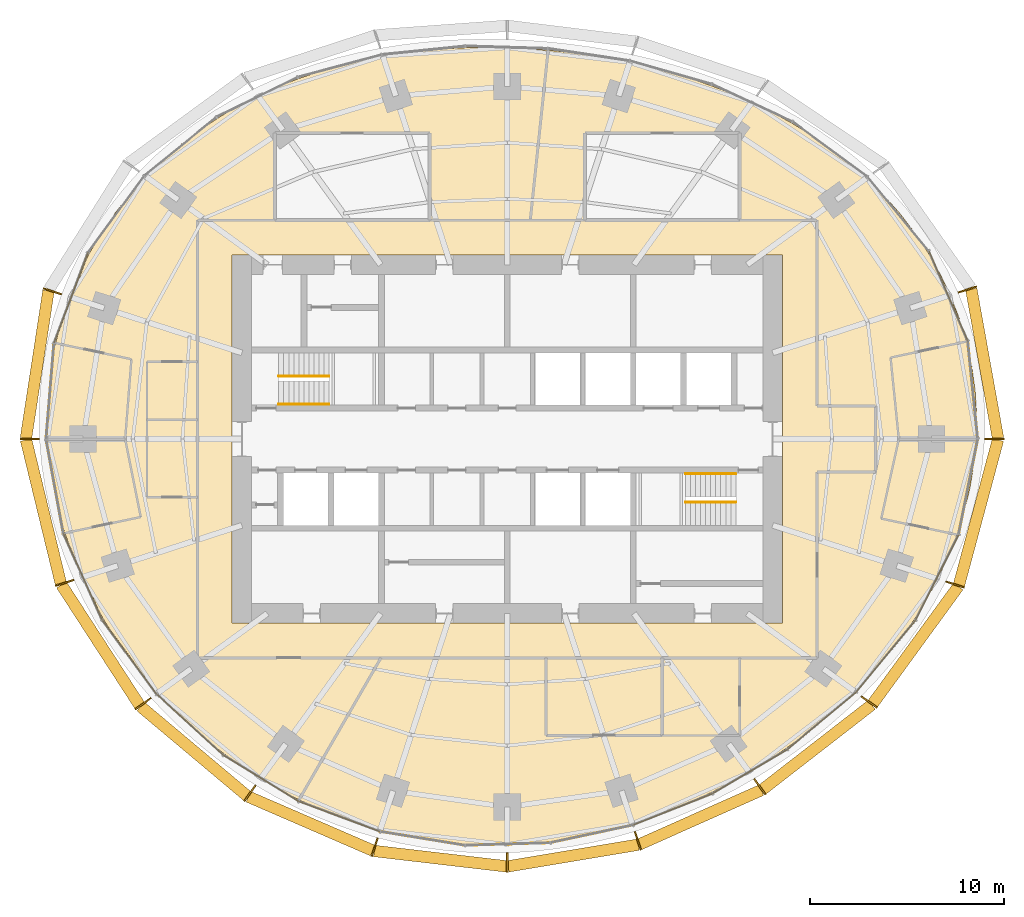
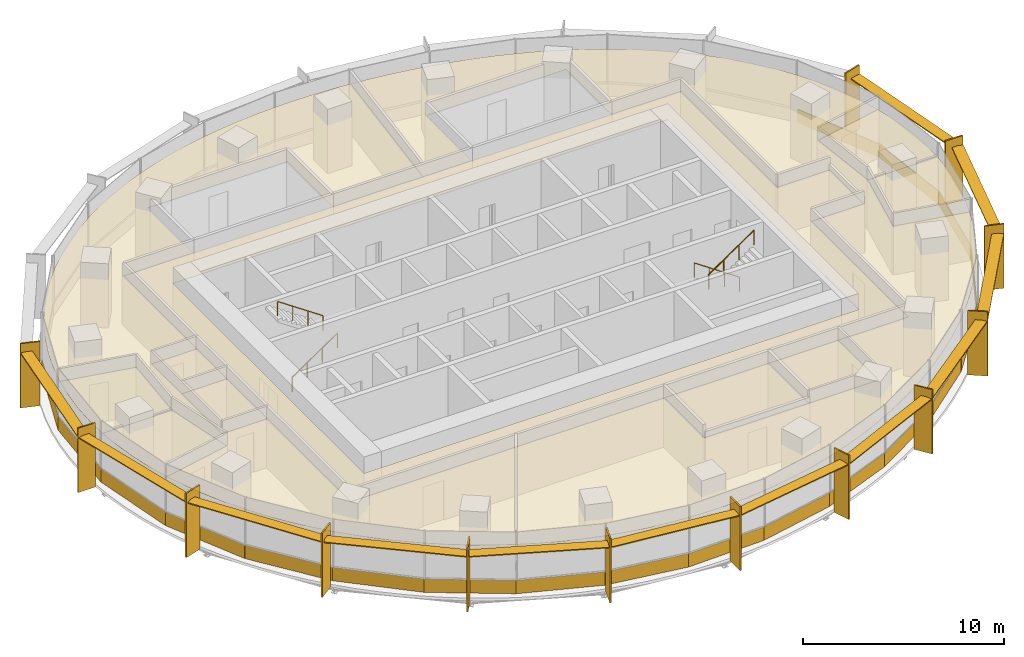
# One storey, part 13 of 14: 30 coverings, 25 shading devices, 4 railings.
"""IFC4 building model written with IfcOpenShell, lengths in metres."""

import ifcopenshell
import ifcopenshell.guid

model = None  # the IFC model being written
_history = None  # IfcOwnerHistory: only IFC2X3 demands one
_inside = {}  # id of a spatial element -> (the spatial element, [elements in it])
_under = {}  # id of a project, library or spatial element -> (it, [spatial elements below it])
_declared = {}  # id of a project -> (the project, [libraries it declares])
_typed = {}  # id of a type object -> (the type object, [elements of that type])
_made_of = {}  # id of a material, layer set ... -> (it, [elements and type objects made of it])


def new_model(schema):
    """Start an empty IFC model of exactly this schema.

    Asked for "IFC4X3", IfcOpenShell would pick the latest addendum, in which some entities
    have other attributes; the version numbers below select the first issue.
    IFC2X3 requires an IfcOwnerHistory on every rooted entity: one is made here for all.
    """
    global model, _history
    if schema == "IFC4X3":
        model = ifcopenshell.file(schema_version=(4, 3, 0, 0))
    else:
        model = ifcopenshell.file(schema=schema)
    _inside.clear()
    _under.clear()
    _declared.clear()
    _typed.clear()
    _made_of.clear()
    _history = None
    if model.schema == "IFC2X3":
        org = make("IfcOrganization", Name="unknown")
        user = make(
            "IfcPersonAndOrganization",
            ThePerson=make("IfcPerson", FamilyName="unknown"),
            TheOrganization=org,
        )
        app = make(
            "IfcApplication",
            ApplicationDeveloper=org,
            Version="unknown",
            ApplicationFullName="unknown",
            ApplicationIdentifier="unknown",
        )
        _history = make(
            "IfcOwnerHistory",
            OwningUser=user,
            OwningApplication=app,
            ChangeAction="ADDED",
            CreationDate=0,
        )
    return model


def make(cls, **values):
    """One entity of the class cls with the attributes given. An attribute that is None is left unset."""
    return model.create_entity(
        cls, **{name: value for name, value in values.items() if value is not None}
    )


def rooted(cls, **values):
    """An entity with a GlobalId (a new one), such as an element, a storey or a relation."""
    return make(cls, GlobalId=ifcopenshell.guid.new(), OwnerHistory=_history, **values)


def si_unit(unit_type, name, prefix=None):
    """IfcSIUnit, for example si_unit("LENGTHUNIT", "METRE", prefix="MILLI")."""
    return make("IfcSIUnit", UnitType=unit_type, Prefix=prefix, Name=name)


def assignment(units):
    """IfcUnitAssignment: the units of a project."""
    return None if units is None else make("IfcUnitAssignment", Units=units)


def point(xyz):
    """IfcCartesianPoint."""
    return None if xyz is None else make("IfcCartesianPoint", Coordinates=xyz)


def direction(xyz):
    """IfcDirection."""
    return None if xyz is None else make("IfcDirection", DirectionRatios=xyz)


def frame(location, z_axis=None, x_axis=None):
    """IfcAxis2Placement3D, a coordinate frame: its origin and axes. An axis left out is left unset."""
    return make(
        "IfcAxis2Placement3D",
        Location=point(location),
        Axis=direction(z_axis),
        RefDirection=direction(x_axis),
    )


def frame_2d(location, x_axis=None):
    """IfcAxis2Placement2D, a coordinate frame in the plane: its origin and x axis."""
    return make(
        "IfcAxis2Placement2D", Location=point(location), RefDirection=direction(x_axis)
    )


def origin():
    """The frame at (0, 0, 0) with its axes left unset."""
    return frame((0.0, 0.0, 0.0))


def origin_2d():
    """The frame at (0, 0) in the plane with its x axis left unset."""
    return frame_2d((0.0, 0.0))


def place(relative_to, where):
    """IfcLocalPlacement: puts the frame where relative to a parent placement (None: the world)."""
    return make(
        "IfcLocalPlacement", PlacementRelTo=relative_to, RelativePlacement=where
    )


def context(
    kind, dimensions, precision=None, world=None, true_north=None, identifier=None
):
    """IfcGeometricRepresentationContext, for example the 3D "Model" context."""
    return make(
        "IfcGeometricRepresentationContext",
        ContextIdentifier=identifier,
        ContextType=kind,
        CoordinateSpaceDimension=dimensions,
        Precision=precision,
        WorldCoordinateSystem=world,
        TrueNorth=true_north,
    )


def subcontext(parent, identifier, kind, view, scale=None):
    """IfcGeometricRepresentationSubContext, for example "Body" below "Model"."""
    return make(
        "IfcGeometricRepresentationSubContext",
        ContextIdentifier=identifier,
        ContextType=kind,
        ParentContext=parent,
        TargetScale=scale,
        TargetView=view,
    )


def project(units=None, contexts=None):
    """IfcProject with its units and contexts."""
    return rooted(
        "IfcProject",
        Name="project",
        RepresentationContexts=contexts,
        UnitsInContext=assignment(units),
    )


def spatial(cls, under=None, at=None, **own):
    """A site, building, storey or space (cls), placed at a placement, below another one or the project."""
    s = rooted(cls, ObjectPlacement=at, **own)
    if under is not None:
        _under.setdefault(under.id(), (under, []))[1].append(s)
    return s


def polyline(points):
    """IfcPolyline through the points."""
    return make("IfcPolyline", Points=[point(p) for p in points])


def profile(cls, at=None, kind="AREA", **sizes):
    """A parametric profile (cls). Its sizes go by their IFC names, for example OverallWidth=200.0."""
    return make(cls, ProfileType=kind, Position=at, **sizes)


def rectangle(**sizes):
    """IfcRectangleProfileDef."""
    return profile("IfcRectangleProfileDef", **sizes)


def circle(**sizes):
    """IfcCircleProfileDef."""
    return profile("IfcCircleProfileDef", **sizes)


def outline(outer, holes=None, kind="AREA"):
    """IfcArbitraryClosedProfileDef: a profile drawn as a closed curve; with holes, ...WithVoids."""
    if holes is None:
        return make("IfcArbitraryClosedProfileDef", ProfileType=kind, OuterCurve=outer)
    return make(
        "IfcArbitraryProfileDefWithVoids",
        ProfileType=kind,
        OuterCurve=outer,
        InnerCurves=holes,
    )


def extrude(swept, where, along, depth):
    """IfcExtrudedAreaSolid: the profile swept, set in the frame where, extruded along a direction by depth."""
    return make(
        "IfcExtrudedAreaSolid",
        SweptArea=swept,
        Position=where,
        ExtrudedDirection=direction(along),
        Depth=depth,
    )


def shape(context_of_items, identifier, shape_type, items):
    """IfcShapeRepresentation: the items that make up one representation, for example the "Body"."""
    return make(
        "IfcShapeRepresentation",
        ContextOfItems=context_of_items,
        RepresentationIdentifier=identifier,
        RepresentationType=shape_type,
        Items=items,
    )


def material(Name=None, Category=None):
    """IfcMaterial."""
    return make("IfcMaterial", Name=Name, Category=Category)


def layer(
    of_material, thickness, ventilated=None, Name=None, Category=None, Priority=None
):
    """IfcMaterialLayer: one layer of a wall or slab, of a material (None: an air gap)."""
    return make(
        "IfcMaterialLayer",
        Material=of_material,
        LayerThickness=thickness,
        IsVentilated=ventilated,
        Name=Name,
        Category=Category,
        Priority=Priority,
    )


def layer_set(layers, Name=None):
    """IfcMaterialLayerSet."""
    return make("IfcMaterialLayerSet", MaterialLayers=layers, LayerSetName=Name)


def made_of(thing, what):
    """Note that an element or type object is made of a material, layer set ...; save() writes the relation."""
    if what is not None:
        _made_of.setdefault(what.id(), (what, []))[1].append(thing)
    return thing


def type_object(cls, material=None, **own):
    """A type object (cls), such as IfcWallType, which elements share."""
    return made_of(rooted(cls, **own), material)


def element(
    cls,
    number,
    at=None,
    inside=None,
    cuts=None,
    type_object=None,
    material=None,
    context=None,
    identifier="Body",
    shape_type=None,
    held_by="IfcProductDefinitionShape",
    body=None,
    shapes=None,
    **own,
):
    """One element of the class cls, such as IfcWall. Its Tag is "e" and its number.

    at: its placement. inside: the storey or other place that contains it. cuts: it is an
    opening in that element (IfcRelVoidsElement). A single representation is given by context,
    identifier, shape_type and body (its items); several are given by shapes. held_by: the class
    of the entity that holds the representations. save() writes the other relations.
    """
    e = rooted(cls, Tag="e%d" % number, ObjectPlacement=at, **own)
    if body is not None:
        shapes = [shape(context, identifier, shape_type, body)]
    if shapes is not None:
        e.Representation = make(held_by, Representations=shapes)
    if inside is not None:
        _inside.setdefault(inside.id(), (inside, []))[1].append(e)
    if cuts is not None:
        rooted(
            "IfcRelVoidsElement", RelatingBuildingElement=cuts, RelatedOpeningElement=e
        )
    if type_object is not None:
        _typed.setdefault(type_object.id(), (type_object, []))[1].append(e)
    return made_of(e, material)


def aggregate(whole, parts):
    """IfcRelAggregates: a whole, such as a stair, and the parts it consists of."""
    return rooted("IfcRelAggregates", RelatingObject=whole, RelatedObjects=parts)


def save(model, path):
    """Write the relations noted so far, then the file.

    IfcRelAggregates (storeys below a building ...), IfcRelContainedInSpatialStructure (elements
    in a storey), IfcRelDefinesByType, IfcRelAssociatesMaterial and IfcRelDeclares: one each for
    every whole, place, type object, material and project.
    """
    for whole, parts in _under.values():
        aggregate(whole, parts)
    for where, things in _inside.values():
        rooted(
            "IfcRelContainedInSpatialStructure",
            RelatedElements=things,
            RelatingStructure=where,
        )
    for kind, things in _typed.values():
        rooted("IfcRelDefinesByType", RelatedObjects=things, RelatingType=kind)
    for what, things in _made_of.values():
        rooted("IfcRelAssociatesMaterial", RelatedObjects=things, RelatingMaterial=what)
    for by, libraries in _declared.values():
        rooted("IfcRelDeclares", RelatingContext=by, RelatedDefinitions=libraries)
    model.write(path)


model = new_model("IFC4")

# Units and contexts
model_context = context("Model", 3, precision=1e-05, world=origin(), true_north=direction((0.0, 1.0)))
body_context = subcontext(model_context, "Body", "Model", "MODEL_VIEW")
ifc_project = project(units=[si_unit("LENGTHUNIT", "METRE"), si_unit("AREAUNIT", "SQUARE_METRE"), si_unit("VOLUMEUNIT", "CUBIC_METRE"), si_unit("PLANEANGLEUNIT", "RADIAN"), si_unit("MASSUNIT", "GRAM", prefix="KILO")], contexts=[model_context])

# Site, building, storey
site_placement = place(None, origin())
site = spatial("IfcSite", under=ifc_project, at=site_placement, CompositionType="ELEMENT")
building_placement = place(site_placement, origin())
building = spatial("IfcBuilding", under=site, at=building_placement, Name="Marramba Exchange Tower", CompositionType="ELEMENT")
storey_placement = place(building_placement, frame((0.0, 0.0, 179.89990234375)))
storey = spatial("IfcBuildingStorey", under=building, at=storey_placement, Name="L43", CompositionType="ELEMENT", Elevation=179.89990234375)

# Shading devices
ifc_material_1 = material(Name="Aluminium blade, timber-look bronze finish", Category="wood")
ifc_layer_1 = layer(ifc_material_1, 0.080078125)
ifc_layer_set_1 = layer_set([ifc_layer_1], Name="Floor-edge blade 1000x80")
shading_device_type_1 = type_object("IfcShadingDeviceType", Name="Floor-edge blade 1000x80", PredefinedType="USERDEFINED", material=ifc_layer_set_1)
for number, where, z_axis, x_axis, name in (
    (1, (25.14404296875, 0.0, -0.159912109375), (0.0, 0.0, 1.0), (1.0, 0.0, 0.0), "Floor-edge blade FB1 L43 TC01"),
    (2, (23.757080078125, 7.718994140625, -0.159912109375), (0.0, 0.0, 1.0), (0.951056516295, 0.309016994375, 0.0), "Floor-edge blade FB1 L43 TC02"),
    (3, (-23.488525390625, 7.6318359375, -0.159912109375), (0.0, 0.0, 1.0), (-0.951056516295, 0.309016994375, 0.0), "Floor-edge blade FB1 L43 TC10"),
    (4, (-24.656005859375, 0.0, -0.159912109375), (0.0, 0.0, 1.0), (-1.0, 0.0, 0.0), "Floor-edge blade FB1 L43 TC11"),
    (5, (-22.848876953125, -7.424072265625, -0.159912109375), (0.0, 0.0, 1.0), (-0.951056516295, -0.309016994375, 0.0), "Floor-edge blade FB1 L43 TC12"),
    (6, (-18.7998046875, -13.658935546875, -0.159912109375), (0.0, 0.0, 1.0), (-0.809016994375, -0.587785252292, 0.0), "Floor-edge blade FB1 L43 TC13"),
    (7, (-13.2841796875, -18.2841796875, -0.159912109375), (0.0, 0.0, 1.0), (-0.587785252292, -0.809016994375, 0.0), "Floor-edge blade FB1 L43 TC14"),
    (8, (-6.845703125, -21.069091796875, -0.159912109375), (0.0, 0.0, 1.0), (-0.309016994375, -0.951056516295, 0.0), "Floor-edge blade FB1 L43 TC15"),
    (9, (0.0, -21.86376953125, -0.159912109375), (0.0, 0.0, 1.0), (0.0, -1.0, 0.0), "Floor-edge blade FB1 L43 TC16"),
    (10, (6.739501953125, -20.741943359375, -0.159912109375), (0.0, 0.0, 1.0), (0.309016994375, -0.951056516295, 0.0), "Floor-edge blade FB1 L43 TC17"),
    (11, (13.0380859375, -17.9453125, -0.159912109375), (0.0, 0.0, 1.0), (0.587785252292, -0.809016994375, 0.0), "Floor-edge blade FB1 L43 TC18"),
    (12, (18.6845703125, -13.5751953125, -0.159912109375), (0.0, 0.0, 1.0), (0.809016994375, -0.587785252292, 0.0), "Floor-edge blade FB1 L43 TC19"),
    (13, (23.1171875, -7.51123046875, -0.159912109375), (0.0, 0.0, 1.0), (0.951056516295, -0.309016994375, 0.0), "Floor-edge blade FB1 L43 TC20"),
):
    element("IfcShadingDevice", number, at=place(storey_placement, frame(where, z_axis=z_axis, x_axis=x_axis)), inside=storey, type_object=shading_device_type_1, Name=name, ObjectType="FIN", PredefinedType="USERDEFINED", context=body_context, shape_type="SweptSolid", body=[
        extrude(rectangle(XDim=1.0, YDim=0.080078125, at=origin_2d()), origin(), (0.0, 0.0, 1.0), 3.89990234375),
    ])
ifc_material_2 = material(Name="Aluminium sunshade, bronze anodised", Category="aluminium")
ifc_layer_2 = layer(ifc_material_2, 0.06005859375)
ifc_layer_set_2 = layer_set([ifc_layer_2], Name="SUNSHADE blade 600x60")
shading_device_type_2 = type_object("IfcShadingDeviceType", Name="SUNSHADE blade 600x60", PredefinedType="USERDEFINED", material=ifc_layer_set_2)
shading_device_1_placement = place(storey_placement, frame((24.6455078125, 3.890380859375, 3.16015625), z_axis=(0.0, 0.0, 1.0), x_axis=(-0.176690623809, 0.984266439262, 0.0)))
element("IfcShadingDevice", 14, at=shading_device_1_placement, inside=storey, type_object=shading_device_type_2, Name="Sunshade SS1 L43 bay 01", ObjectType="SUNSHADE", PredefinedType="USERDEFINED", context=body_context, shape_type="SweptSolid", body=[
    extrude(rectangle(XDim=7.8251953125, YDim=0.60009765625, at=origin_2d()), origin(), (0.0, 0.0, 1.0), 0.06005859375),
])
shading_device_2_placement = place(storey_placement, frame((-24.267333984375, 3.846923828125, 3.16015625), z_axis=(0.0, 0.0, 1.0), x_axis=(-0.151240669327, -0.988496970123, 0.0)))
element("IfcShadingDevice", 15, at=shading_device_2_placement, inside=storey, type_object=shading_device_type_2, Name="Sunshade SS1 L43 bay 10", ObjectType="SUNSHADE", PredefinedType="USERDEFINED", context=body_context, shape_type="SweptSolid", body=[
    extrude(rectangle(XDim=7.703369140625, YDim=0.60009765625, at=origin_2d()), origin(), (0.0, 0.0, 1.0), 0.06005859375),
])
shading_device_3_placement = place(storey_placement, frame((-23.947509765625, -3.742919921875, 3.16015625), z_axis=(0.0, 0.0, 1.0), x_axis=(0.235861488454, -0.971786683519, 0.0)))
element("IfcShadingDevice", 16, at=shading_device_3_placement, inside=storey, type_object=shading_device_type_2, Name="Sunshade SS1 L43 bay 11", ObjectType="SUNSHADE", PredefinedType="USERDEFINED", context=body_context, shape_type="SweptSolid", body=[
    extrude(rectangle(XDim=7.623291015625, YDim=0.60009765625, at=origin_2d()), origin(), (0.0, 0.0, 1.0), 0.06005859375),
])
shading_device_4_placement = place(storey_placement, frame((-21.000244140625, -10.631103515625, 3.16015625), z_axis=(0.0, 0.0, 1.0), x_axis=(0.543921771105, -0.839135928749, 0.0)))
element("IfcShadingDevice", 17, at=shading_device_4_placement, inside=storey, type_object=shading_device_type_2, Name="Sunshade SS1 L43 bay 12", ObjectType="SUNSHADE", PredefinedType="USERDEFINED", context=body_context, shape_type="SweptSolid", body=[
    extrude(rectangle(XDim=7.41650390625, YDim=0.60009765625, at=origin_2d()), origin(), (0.0, 0.0, 1.0), 0.06005859375),
])
shading_device_5_placement = place(storey_placement, frame((-16.181640625, -16.111083984375, 3.16015625), z_axis=(0.0, 0.0, 1.0), x_axis=(0.765761970568, -0.643124097225, 0.0)))
element("IfcShadingDevice", 18, at=shading_device_5_placement, inside=storey, type_object=shading_device_type_2, Name="Sunshade SS1 L43 bay 13", ObjectType="SUNSHADE", PredefinedType="USERDEFINED", context=body_context, shape_type="SweptSolid", body=[
    extrude(rectangle(XDim=7.1806640625, YDim=0.60009765625, at=origin_2d()), origin(), (0.0, 0.0, 1.0), 0.06005859375),
])
shading_device_6_placement = place(storey_placement, frame((-10.154541015625, -19.8525390625, 3.16015625), z_axis=(0.0, 0.0, 1.0), x_axis=(0.917589256742, -0.397529817639, 0.0)))
element("IfcShadingDevice", 19, at=shading_device_6_placement, inside=storey, type_object=shading_device_type_2, Name="Sunshade SS1 L43 bay 14", ObjectType="SUNSHADE", PredefinedType="USERDEFINED", context=body_context, shape_type="SweptSolid", body=[
    extrude(rectangle(XDim=6.997314453125, YDim=0.60009765625, at=origin_2d()), origin(), (0.0, 0.0, 1.0), 0.06005859375),
])
shading_device_7_placement = place(storey_placement, frame((-3.453857421875, -21.66162109375, 3.16015625), z_axis=(0.0, 0.0, 1.0), x_axis=(0.993288257497, -0.1156651958, 0.0)))
element("IfcShadingDevice", 20, at=shading_device_7_placement, inside=storey, type_object=shading_device_type_2, Name="Sunshade SS1 L43 bay 15", ObjectType="SUNSHADE", PredefinedType="USERDEFINED", context=body_context, shape_type="SweptSolid", body=[
    extrude(rectangle(XDim=6.874267578125, YDim=0.60009765625, at=origin_2d()), origin(), (0.0, 0.0, 1.0), 0.06005859375),
])
shading_device_8_placement = place(storey_placement, frame((3.400634765625, -21.498046875, 3.16015625), z_axis=(0.0, 0.0, 1.0), x_axis=(0.986439622954, 0.164124557168, 0.0)))
element("IfcShadingDevice", 21, at=shading_device_8_placement, inside=storey, type_object=shading_device_type_2, Name="Sunshade SS1 L43 bay 16", ObjectType="SUNSHADE", PredefinedType="USERDEFINED", context=body_context, shape_type="SweptSolid", body=[
    extrude(rectangle(XDim=6.814697265625, YDim=0.60009765625, at=origin_2d()), origin(), (0.0, 0.0, 1.0), 0.06005859375),
])
shading_device_9_placement = place(storey_placement, frame((9.978515625, -19.519775390625, 3.16015625), z_axis=(0.0, 0.0, 1.0), x_axis=(0.913771678576, 0.406228161792, 0.0)))
element("IfcShadingDevice", 22, at=shading_device_9_placement, inside=storey, type_object=shading_device_type_2, Name="Sunshade SS1 L43 bay 17", ObjectType="SUNSHADE", PredefinedType="USERDEFINED", context=body_context, shape_type="SweptSolid", body=[
    extrude(rectangle(XDim=6.8740234375, YDim=0.60009765625, at=origin_2d()), origin(), (0.0, 0.0, 1.0), 0.06005859375),
])
shading_device_10_placement = place(storey_placement, frame((16.0009765625, -15.89990234375, 3.16015625), z_axis=(0.0, 0.0, 1.0), x_axis=(0.790133082515, 0.612935324414, 0.0)))
element("IfcShadingDevice", 23, at=shading_device_10_placement, inside=storey, type_object=shading_device_type_2, Name="Sunshade SS1 L43 bay 18", ObjectType="SUNSHADE", PredefinedType="USERDEFINED", context=body_context, shape_type="SweptSolid", body=[
    extrude(rectangle(XDim=7.122314453125, YDim=0.60009765625, at=origin_2d()), origin(), (0.0, 0.0, 1.0), 0.06005859375),
])
shading_device_11_placement = place(storey_placement, frame((21.076904296875, -10.6328125, 3.16015625), z_axis=(0.0, 0.0, 1.0), x_axis=(0.589071758439, 0.808080728275, 0.0)))
element("IfcShadingDevice", 24, at=shading_device_11_placement, inside=storey, type_object=shading_device_type_2, Name="Sunshade SS1 L43 bay 19", ObjectType="SUNSHADE", PredefinedType="USERDEFINED", context=body_context, shape_type="SweptSolid", body=[
    extrude(rectangle(XDim=7.4931640625, YDim=0.60009765625, at=origin_2d()), origin(), (0.0, 0.0, 1.0), 0.06005859375),
])
shading_device_12_placement = place(storey_placement, frame((24.32568359375, -3.78662109375, 3.16015625), z_axis=(0.0, 0.0, 1.0), x_axis=(0.259692365654, 0.965691397508, 0.0)))
element("IfcShadingDevice", 25, at=shading_device_12_placement, inside=storey, type_object=shading_device_type_2, Name="Sunshade SS1 L43 bay 20", ObjectType="SUNSHADE", PredefinedType="USERDEFINED", context=body_context, shape_type="SweptSolid", body=[
    extrude(rectangle(XDim=7.76220703125, YDim=0.60009765625, at=origin_2d()), origin(), (0.0, 0.0, 1.0), 0.06005859375),
])

# Coverings
ifc_material_3 = material(Name="Aluminium spandrel panel, bronze anodised, insulated", Category="aluminium")
ifc_layer_3 = layer(ifc_material_3, 0.050048828125)
ifc_layer_set_3 = layer_set([ifc_layer_3], Name="Spandrel panel 800")
covering_type_1 = type_object("IfcCoveringType", Name="Spandrel panel 800", PredefinedType="CLADDING", material=ifc_layer_set_3)
covering_1_placement = place(storey_placement, frame((24.036376953125, 2.527099609375, 0.0), z_axis=(0.0, 0.0, 1.0), x_axis=(-0.101422478545, 0.994843445395, 0.0)))
element("IfcCovering", 26, at=covering_1_placement, inside=storey, type_object=covering_type_1, Name="Spandrel panel SP1 L43 F01", PredefinedType="CLADDING", context=body_context, shape_type="SweptSolid", body=[
    extrude(rectangle(XDim=5.08056640625, YDim=0.050048828125, at=origin_2d()), origin(), (0.0, 0.0, 1.0), 0.800048828125),
])
covering_2_placement = place(storey_placement, frame((22.77734375, 7.374755859375, 0.0), z_axis=(0.0, 0.0, 1.0), x_axis=(-0.396193349205, 0.918167103552, 0.0)))
element("IfcCovering", 27, at=covering_2_placement, inside=storey, type_object=covering_type_1, Name="Spandrel panel SP1 L43 F02", PredefinedType="CLADDING", context=body_context, shape_type="SweptSolid", body=[
    extrude(rectangle(XDim=5.0546875, YDim=0.050048828125, at=origin_2d()), origin(), (0.0, 0.0, 1.0), 0.800048828125),
])
covering_3_placement = place(storey_placement, frame((-22.518798828125, 7.30419921875, 0.0), z_axis=(0.0, 0.0, 1.0), x_axis=(-0.351951514464, -0.936018232443, 0.0)))
element("IfcCovering", 28, at=covering_3_placement, inside=storey, type_object=covering_type_1, Name="Spandrel panel SP1 L43 F14", PredefinedType="CLADDING", context=body_context, shape_type="SweptSolid", body=[
    extrude(rectangle(XDim=4.981689453125, YDim=0.050048828125, at=origin_2d()), origin(), (0.0, 0.0, 1.0), 0.800048828125),
])
covering_4_placement = place(storey_placement, frame((-23.600830078125, 2.486328125, 0.0), z_axis=(0.0, 0.0, 1.0), x_axis=(-0.082280881776, -0.996609179415, 0.0)))
element("IfcCovering", 29, at=covering_4_placement, inside=storey, type_object=covering_type_1, Name="Spandrel panel SP1 L43 F15", PredefinedType="CLADDING", context=body_context, shape_type="SweptSolid", body=[
    extrude(rectangle(XDim=4.98974609375, YDim=0.050048828125, at=origin_2d()), origin(), (0.0, 0.0, 1.0), 0.800048828125),
])
covering_5_placement = place(storey_placement, frame((-23.359619140625, -2.43505859375, 0.0), z_axis=(0.0, 0.0, 1.0), x_axis=(0.180327442841, -0.983606635479, 0.0)))
element("IfcCovering", 30, at=covering_5_placement, inside=storey, type_object=covering_type_1, Name="Spandrel panel SP1 L43 F16", PredefinedType="CLADDING", context=body_context, shape_type="SweptSolid", body=[
    extrude(rectangle(XDim=4.951416015625, YDim=0.050048828125, at=origin_2d()), origin(), (0.0, 0.0, 1.0), 0.800048828125),
])
covering_6_placement = place(storey_placement, frame((-21.920654296875, -7.093994140625, 0.0), z_axis=(0.0, 0.0, 1.0), x_axis=(0.407557582153, -0.913179509861, 0.0)))
element("IfcCovering", 31, at=covering_6_placement, inside=storey, type_object=covering_type_1, Name="Spandrel panel SP1 L43 F17", PredefinedType="CLADDING", context=body_context, shape_type="SweptSolid", body=[
    extrude(rectangle(XDim=4.870361328125, YDim=0.050048828125, at=origin_2d()), origin(), (0.0, 0.0, 1.0), 0.800048828125),
])
covering_7_placement = place(storey_placement, frame((-19.520263671875, -11.238525390625, 0.0), z_axis=(0.0, 0.0, 1.0), x_axis=(0.591223097085, -0.80650805915, 0.0)))
element("IfcCovering", 32, at=covering_7_placement, inside=storey, type_object=covering_type_1, Name="Spandrel panel SP1 L43 F18", PredefinedType="CLADDING", context=body_context, shape_type="SweptSolid", body=[
    extrude(rectangle(XDim=4.762939453125, YDim=0.050048828125, at=origin_2d()), origin(), (0.0, 0.0, 1.0), 0.800048828125),
])
covering_8_placement = place(storey_placement, frame((-16.396240234375, -14.73193359375, 0.0), z_axis=(0.0, 0.0, 1.0), x_axis=(0.737203259599, -0.67567103981, 0.0)))
element("IfcCovering", 33, at=covering_8_placement, inside=storey, type_object=covering_type_1, Name="Spandrel panel SP1 L43 F19", PredefinedType="CLADDING", context=body_context, shape_type="SweptSolid", body=[
    extrude(rectangle(XDim=4.65478515625, YDim=0.050048828125, at=origin_2d()), origin(), (0.0, 0.0, 1.0), 0.800048828125),
])
covering_9_placement = place(storey_placement, frame((-12.73583984375, -17.497802734375, 0.0), z_axis=(0.0, 0.0, 1.0), x_axis=(0.852301010692, -0.52305161043, 0.0)))
element("IfcCovering", 34, at=covering_9_placement, inside=storey, type_object=covering_type_1, Name="Spandrel panel SP1 L43 F20", PredefinedType="CLADDING", context=body_context, shape_type="SweptSolid", body=[
    extrude(rectangle(XDim=4.563232421875, YDim=0.050048828125, at=origin_2d()), origin(), (0.0, 0.0, 1.0), 0.800048828125),
])
covering_10_placement = place(storey_placement, frame((-8.687255859375, -19.47607421875, 0.0), z_axis=(0.0, 0.0, 1.0), x_axis=(0.936951581946, -0.349459200892, 0.0)))
element("IfcCovering", 35, at=covering_10_placement, inside=storey, type_object=covering_type_1, Name="Spandrel panel SP1 L43 F21", PredefinedType="CLADDING", context=body_context, shape_type="SweptSolid", body=[
    extrude(rectangle(XDim=4.491455078125, YDim=0.050048828125, at=origin_2d()), origin(), (0.0, 0.0, 1.0), 0.800048828125),
])
covering_11_placement = place(storey_placement, frame((-4.393798828125, -20.6181640625, 0.0), z_axis=(0.0, 0.0, 1.0), x_axis=(0.98693062179, -0.161145734582, 0.0)))
element("IfcCovering", 36, at=covering_11_placement, inside=storey, type_object=covering_type_1, Name="Spandrel panel SP1 L43 F22", PredefinedType="CLADDING", context=body_context, shape_type="SweptSolid", body=[
    extrude(rectangle(XDim=4.4365234375, YDim=0.050048828125, at=origin_2d()), origin(), (0.0, 0.0, 1.0), 0.800048828125),
])
covering_12_placement = place(storey_placement, frame((-0.0068359375, -20.9111328125, 0.0), z_axis=(0.0, 0.0, 1.0), x_axis=(0.99956791932, 0.02939344597, 0.0)))
element("IfcCovering", 37, at=covering_12_placement, inside=storey, type_object=covering_type_1, Name="Spandrel panel SP1 L43 F23", PredefinedType="CLADDING", context=body_context, shape_type="SweptSolid", body=[
    extrude(rectangle(XDim=4.3974609375, YDim=0.050048828125, at=origin_2d()), origin(), (0.0, 0.0, 1.0), 0.800048828125),
])
covering_13_placement = place(storey_placement, frame((4.333984375, -20.389892578125, 0.0), z_axis=(0.0, 0.0, 1.0), x_axis=(0.978058068956, 0.208332459664, 0.0)))
element("IfcCovering", 38, at=covering_13_placement, inside=storey, type_object=covering_type_1, Name="Spandrel panel SP1 L43 F24", PredefinedType="CLADDING", context=body_context, shape_type="SweptSolid", body=[
    extrude(rectangle(XDim=4.3818359375, YDim=0.050048828125, at=origin_2d()), origin(), (0.0, 0.0, 1.0), 0.800048828125),
])
covering_14_placement = place(storey_placement, frame((8.525390625, -19.124267578125, 0.0), z_axis=(0.0, 0.0, 1.0), x_axis=(0.93007301151, 0.367374731386, 0.0)))
element("IfcCovering", 39, at=covering_14_placement, inside=storey, type_object=covering_type_1, Name="Spandrel panel SP1 L43 F25", PredefinedType="CLADDING", context=body_context, shape_type="SweptSolid", body=[
    extrude(rectangle(XDim=4.405517578125, YDim=0.050048828125, at=origin_2d()), origin(), (0.0, 0.0, 1.0), 0.800048828125),
])
covering_15_placement = place(storey_placement, frame((12.50634765625, -17.175537109375, 0.0), z_axis=(0.0, 0.0, 1.0), x_axis=(0.861350829898, 0.508010578466, 0.0)))
element("IfcCovering", 40, at=covering_15_placement, inside=storey, type_object=covering_type_1, Name="Spandrel panel SP1 L43 F26", PredefinedType="CLADDING", context=body_context, shape_type="SweptSolid", body=[
    extrude(rectangle(XDim=4.486572265625, YDim=0.050048828125, at=origin_2d()), origin(), (0.0, 0.0, 1.0), 0.800048828125),
])
covering_16_placement = place(storey_placement, frame((16.2177734375, -14.5556640625, 0.0), z_axis=(0.0, 0.0, 1.0), x_axis=(0.768736803132, 0.639565264465, 0.0)))
element("IfcCovering", 41, at=covering_16_placement, inside=storey, type_object=covering_type_1, Name="Spandrel panel SP1 L43 F27", PredefinedType="CLADDING", context=body_context, shape_type="SweptSolid", body=[
    extrude(rectangle(XDim=4.628662109375, YDim=0.050048828125, at=origin_2d()), origin(), (0.0, 0.0, 1.0), 0.800048828125),
])
covering_17_placement = place(storey_placement, frame((19.529541015625, -11.2265625, 0.0), z_axis=(0.0, 0.0, 1.0), x_axis=(0.638149992226, 0.769912064733, 0.0)))
element("IfcCovering", 42, at=covering_17_placement, inside=storey, type_object=covering_type_1, Name="Spandrel panel SP1 L43 F28", PredefinedType="CLADDING", context=body_context, shape_type="SweptSolid", body=[
    extrude(rectangle(XDim=4.80322265625, YDim=0.050048828125, at=origin_2d()), origin(), (0.0, 0.0, 1.0), 0.800048828125),
])
covering_18_placement = place(storey_placement, frame((22.17919921875, -7.16455078125, 0.0), z_axis=(0.0, 0.0, 1.0), x_axis=(0.450673091404, 0.892689063832, 0.0)))
element("IfcCovering", 43, at=covering_18_placement, inside=storey, type_object=covering_type_1, Name="Spandrel panel SP1 L43 F29", PredefinedType="CLADDING", context=body_context, shape_type="SweptSolid", body=[
    extrude(rectangle(XDim=4.957763671875, YDim=0.050048828125, at=origin_2d()), origin(), (0.0, 0.0, 1.0), 0.800048828125),
])
covering_19_placement = place(storey_placement, frame((23.795166015625, -2.475830078125, 0.0), z_axis=(0.0, 0.0, 1.0), x_axis=(0.197495401381, 0.980303813332, 0.0)))
element("IfcCovering", 44, at=covering_19_placement, inside=storey, type_object=covering_type_1, Name="Spandrel panel SP1 L43 F30", PredefinedType="CLADDING", context=body_context, shape_type="SweptSolid", body=[
    extrude(rectangle(XDim=5.05126953125, YDim=0.050048828125, at=origin_2d()), origin(), (0.0, 0.0, 1.0), 0.800048828125),
])

# Railings
ifc_material_4 = material(Name="Stainless steel handrail", Category="steel")
railing_type = type_object("IfcRailingType", Name="Stair handrail 900", PredefinedType="HANDRAIL", material=ifc_material_4)
railing_1_placement = place(storey_placement, frame((-11.800048828125, 1.800048828125, 0.177490234375)))
element("IfcRailing", 45, at=railing_1_placement, inside=storey, type_object=railing_type, Name="Handrail HR1 ST1 L43 flight 1", PredefinedType="HANDRAIL", context=body_context, shape_type="SweptSolid", body=[
    extrude(circle(Radius=0.02392578125, at=origin_2d()), frame((0.0, 0.0, 0.8759765625), z_axis=(0.826240473404, 0.0, 0.563317565952), x_axis=(0.0, 1.0, 0.0)), (0.0, 0.0, 1.0), 3.14697265625),
    extrude(circle(Radius=0.02099609375, at=origin_2d()), origin(), (0.0, 0.0, 1.0), 0.851806640625),
    extrude(circle(Radius=0.02099609375, at=origin_2d()), frame((0.86669921875, 0.0, 0.5908203125)), (0.0, 0.0, 1.0), 0.851806640625),
    extrude(circle(Radius=0.02099609375, at=origin_2d()), frame((1.7333984375, 0.0, 1.181884765625)), (0.0, 0.0, 1.0), 0.851806640625),
    extrude(circle(Radius=0.02099609375, at=origin_2d()), frame((2.60009765625, 0.0, 1.772705078125)), (0.0, 0.0, 1.0), 0.851806640625),
])
for number, where, name in (
    (46, (-9.199951171875, 3.25, 2.12744140625), "Handrail HR1 ST1 L43 flight 2"),
    (47, (11.800048828125, -1.800048828125, 0.177490234375), "Handrail HR1 ST2 L43 flight 1"),
):
    element("IfcRailing", number, at=place(storey_placement, frame(where)), inside=storey, type_object=railing_type, Name=name, PredefinedType="HANDRAIL", context=body_context, shape_type="SweptSolid", body=[
        extrude(circle(Radius=0.02392578125, at=origin_2d()), frame((0.0, 0.0, 0.8759765625), z_axis=(-0.826240473404, 0.0, 0.563317565952), x_axis=(0.0, -1.0, 0.0)), (0.0, 0.0, 1.0), 3.14697265625),
        extrude(circle(Radius=0.02099609375, at=origin_2d()), origin(), (0.0, 0.0, 1.0), 0.851806640625),
        extrude(circle(Radius=0.02099609375, at=origin_2d()), frame((-0.86669921875, 0.0, 0.5908203125)), (0.0, 0.0, 1.0), 0.851806640625),
        extrude(circle(Radius=0.02099609375, at=origin_2d()), frame((-1.7333984375, 0.0, 1.181884765625)), (0.0, 0.0, 1.0), 0.851806640625),
        extrude(circle(Radius=0.02099609375, at=origin_2d()), frame((-2.60009765625, 0.0, 1.772705078125)), (0.0, 0.0, 1.0), 0.851806640625),
    ])
railing_2_placement = place(storey_placement, frame((9.199951171875, -3.25, 2.12744140625)))
element("IfcRailing", 48, at=railing_2_placement, inside=storey, type_object=railing_type, Name="Handrail HR1 ST2 L43 flight 2", PredefinedType="HANDRAIL", context=body_context, shape_type="SweptSolid", body=[
    extrude(circle(Radius=0.02392578125, at=origin_2d()), frame((0.0, 0.0, 0.8759765625), z_axis=(0.826240473404, 0.0, 0.563317565952), x_axis=(0.0, 1.0, 0.0)), (0.0, 0.0, 1.0), 3.14697265625),
    extrude(circle(Radius=0.02099609375, at=origin_2d()), origin(), (0.0, 0.0, 1.0), 0.851806640625),
    extrude(circle(Radius=0.02099609375, at=origin_2d()), frame((0.86669921875, 0.0, 0.5908203125)), (0.0, 0.0, 1.0), 0.851806640625),
    extrude(circle(Radius=0.02099609375, at=origin_2d()), frame((1.7333984375, 0.0, 1.181884765625)), (0.0, 0.0, 1.0), 0.851806640625),
    extrude(circle(Radius=0.02099609375, at=origin_2d()), frame((2.60009765625, 0.0, 1.772705078125)), (0.0, 0.0, 1.0), 0.851806640625),
])

# Coverings
ifc_material_5 = material(Name="Mineral fibre ceiling tiles", Category="gypsum")
ifc_layer_4 = layer(ifc_material_5, 0.02001953125)
ifc_layer_set_4 = layer_set([ifc_layer_4], Name="Suspended ceiling 20")
covering_type_2 = type_object("IfcCoveringType", Name="Suspended ceiling 20", PredefinedType="CEILING", material=ifc_layer_set_4)
covering_20_placement = place(storey_placement, frame((0.0, 0.0, 2.900146484375)))
element("IfcCovering", 49, at=covering_20_placement, inside=storey, type_object=covering_type_2, Name="Ceiling CL1 L43 Open Plan Office 1", PredefinedType="CEILING", context=body_context, shape_type="SweptSolid", body=[
    extrude(outline(polyline([(16.0, -1.699951171875), (19.0, -1.699951171875), (19.0, 1.699951171875), (16.0, 1.699951171875), (16.0, 11.300048828125), (12.0, 11.300048828125), (12.0, 15.800048828125), (4.0, 15.800048828125), (4.0, 11.300048828125), (1.187744140625, 11.300048828125), (2.1103515625, 20.077880859375), (3.16259765625, 19.96728515625), (4.214111328125, 19.82568359375), (5.265869140625, 19.65234375), (6.318359375, 19.445556640625), (7.371826171875, 19.2041015625), (8.426025390625, 18.92529296875), (9.480712890625, 18.60693359375), (10.5341796875, 18.245849609375), (11.584716796875, 17.839111328125), (12.6298828125, 17.383544921875), (13.666259765625, 16.87646484375), (14.689453125, 16.314453125), (15.695068359375, 15.695068359375), (16.67724609375, 15.016357421875), (17.6298828125, 14.276611328125), (18.54638671875, 13.474853515625), (19.41943359375, 12.611083984375), (20.24169921875, 11.6865234375), (21.00537109375, 10.70263671875), (21.702880859375, 9.662841796875), (22.32763671875, 8.57080078125), (22.87255859375, 7.431640625), (23.331787109375, 6.251708984375), (23.700439453125, 5.03759765625), (19.787841796875, 4.2060546875), (20.214111328125, 0.0), (19.3056640625, -4.103515625), (23.218017578125, -4.935302734375), (22.760986328125, -6.098876953125), (22.23291015625, -7.223876953125), (21.639892578125, -8.306884765625), (20.989013671875, -9.344970703125), (20.286865234375, -10.336669921875), (19.539794921875, -11.28125), (18.753173828125, -12.178466796875), (17.93212890625, -13.028564453125), (17.08154296875, -13.832275390625), (16.204833984375, -14.5908203125), (15.30517578125, -15.30517578125), (14.38525390625, -15.976318359375), (13.44677734375, -16.60546875), (12.491455078125, -17.193115234375), (11.520263671875, -17.73974609375), (10.5341796875, -18.245849609375), (9.53369140625, -18.711181640625), (8.51953125, -19.13525390625), (7.4921875, -19.517578125), (6.4521484375, -19.857421875), (5.400146484375, -20.153564453125), (4.337158203125, -20.404541015625), (3.26416015625, -20.609619140625), (2.1826171875, -20.766845703125), (1.093994140625, -20.875244140625), (0.0, -20.93359375), (-1.097412109375, -20.94091796875), (-2.1962890625, -20.89599609375), (-3.294189453125, -20.79833984375), (-4.388916015625, -20.6474609375), (-5.477783203125, -20.44287109375), (-6.558349609375, -20.184814453125), (-7.62841796875, -19.873046875), (-8.685546875, -19.50830078125), (-9.727294921875, -19.091064453125), (-10.75146484375, -18.621826171875), (-6.524169921875, -11.300048828125), (2.0, -11.300048828125), (2.0, -15.300048828125), (8.0, -15.300048828125), (12.0, -15.300048828125), (12.0, -11.300048828125), (16.0, -11.300048828125), (16.0, -1.699951171875)])), origin(), (0.0, 0.0, 1.0), 0.02001953125),
])
covering_21_placement = place(storey_placement, frame((0.0, 0.0, 2.900146484375)))
element("IfcCovering", 50, at=covering_21_placement, inside=storey, type_object=covering_type_2, Name="Ceiling CL1 L43 Open Plan Office 2", PredefinedType="CEILING", context=body_context, shape_type="SweptSolid", body=[
    extrude(outline(polyline([(-16.0, 4.0), (-18.60009765625, 4.0), (-18.60009765625, 1.0), (-18.60009765625, -3.0), (-16.0, -3.0), (-16.0, -11.300048828125), (-6.524169921875, -11.300048828125), (-10.75146484375, -18.621826171875), (-11.755615234375, -18.101806640625), (-12.737548828125, -17.53173828125), (-13.6953125, -16.912353515625), (-14.626953125, -16.2451171875), (-15.5302734375, -15.5302734375), (-16.403076171875, -14.769287109375), (-17.242919921875, -13.962890625), (-18.04736328125, -13.1123046875), (-18.81396484375, -12.218017578125), (-19.539794921875, -11.28125), (-20.22119140625, -10.30322265625), (-20.85498046875, -9.285400390625), (-21.4375, -8.22900390625), (-21.96435546875, -7.13671875), (-22.431640625, -6.010498046875), (-22.8349609375, -4.853759765625), (-18.92236328125, -4.022216796875), (-19.72607421875, 0.0), (-19.404541015625, 4.12451171875), (-23.317138671875, 4.956298828125), (-23.002197265625, 6.163330078125), (-22.604248046875, 7.344482421875), (-22.125244140625, 8.4931640625), (-21.569091796875, 9.603271484375), (-20.939697265625, 10.669189453125), (-20.24169921875, 11.6865234375), (-19.48046875, 12.650634765625), (-18.66162109375, 13.55859375), (-17.79150390625, 14.4072265625), (-16.87548828125, 15.19482421875), (-15.920166015625, 15.920166015625), (-14.931396484375, 16.5830078125), (-13.914794921875, 17.183349609375), (-12.8759765625, 17.722412109375), (-11.820068359375, 18.201171875), (-10.75146484375, 18.621826171875), (-9.67431640625, 18.98681640625), (-8.59228515625, 19.29833984375), (-7.50830078125, 19.559326171875), (-6.424560546875, 19.77294921875), (-5.34326171875, 19.941650390625), (-4.265625, 20.068603515625), (-3.1923828125, 20.15625), (-2.123779296875, 20.20703125), (-1.059814453125, 20.22314453125), (0.0, 20.206298828125), (1.056396484375, 20.15771484375), (2.1103515625, 20.077880859375), (1.187744140625, 11.300048828125), (-4.0, 11.300048828125), (-4.0, 15.800048828125), (-12.0, 15.800048828125), (-12.0, 11.300048828125), (-16.0, 11.300048828125), (-16.0, 4.0)])), origin(), (0.0, 0.0, 1.0), 0.02001953125),
])
covering_22_placement = place(storey_placement, frame((0.0, 0.0, 2.900146484375)))
element("IfcCovering", 51, at=covering_22_placement, inside=storey, type_object=covering_type_2, Name="Ceiling CL1 L43 Corridor", PredefinedType="CEILING", context=body_context, shape_type="SweptSolid", body=[
    extrude(outline(polyline([(19.0, 1.699951171875), (19.0, -1.699951171875), (16.0, -1.699951171875), (16.0, -11.300048828125), (-16.0, -11.300048828125), (-16.0, 11.300048828125), (16.0, 11.300048828125), (16.0, 1.699951171875), (19.0, 1.699951171875)]), holes=[polyline([(14.199951171875, -1.699951171875), (14.199951171875, 1.699951171875), (14.199951171875, 9.5), (-14.199951171875, 9.5), (-14.199951171875, -9.5), (14.199951171875, -9.5), (14.199951171875, -1.699951171875)])]), origin(), (0.0, 0.0, 1.0), 0.02001953125),
])
covering_23_placement = place(storey_placement, frame((0.0, 0.0, 2.900146484375)))
element("IfcCovering", 52, at=covering_23_placement, inside=storey, type_object=covering_type_2, Name="Ceiling CL1 L43 Office 1", PredefinedType="CEILING", context=body_context, shape_type="SweptSolid", body=[
    extrude(outline(polyline([(24.10009765625, -1.262939453125), (23.89306640625, -2.51123046875), (23.800048828125, -2.897705078125), (23.597412109375, -3.737548828125), (23.35009765625, -4.518310546875), (23.218017578125, -4.935302734375), (19.3056640625, -4.103515625), (20.214111328125, 0.0), (24.214111328125, 0.0), (24.10009765625, -1.262939453125)])), origin(), (0.0, 0.0, 1.0), 0.02001953125),
])
covering_24_placement = place(storey_placement, frame((0.0, 0.0, 2.900146484375)))
element("IfcCovering", 53, at=covering_24_placement, inside=storey, type_object=covering_type_2, Name="Ceiling CL1 L43 Office 2", PredefinedType="CEILING", context=body_context, shape_type="SweptSolid", body=[
    extrude(outline(polyline([(23.80322265625, 4.5732421875), (23.974853515625, 3.797119140625), (24.15234375, 2.53857421875), (24.23193359375, 1.27001953125), (24.214111328125, 0.0), (20.214111328125, 0.0), (19.787841796875, 4.2060546875), (23.700439453125, 5.03759765625), (23.80322265625, 4.5732421875)])), origin(), (0.0, 0.0, 1.0), 0.02001953125),
])
covering_25_placement = place(storey_placement, frame((0.0, 0.0, 2.900146484375)))
element("IfcCovering", 54, at=covering_25_placement, inside=storey, type_object=covering_type_2, Name="Ceiling CL1 L43 Office 3", PredefinedType="CEILING", context=body_context, shape_type="SweptSolid", body=[
    extrude(outline(polyline([(-23.7509765625, 1.24462890625), (-23.691650390625, 2.489990234375), (-23.547119140625, 3.7294921875), (-23.406494140625, 4.47998046875), (-23.317138671875, 4.956298828125), (-19.404541015625, 4.12451171875), (-19.72607421875, 0.0), (-23.72607421875, 0.0), (-23.7509765625, 1.24462890625)])), origin(), (0.0, 0.0, 1.0), 0.02001953125),
])
covering_26_placement = place(storey_placement, frame((0.0, 0.0, 2.900146484375)))
element("IfcCovering", 55, at=covering_26_placement, inside=storey, type_object=covering_type_2, Name="Ceiling CL1 L43 Office 4", PredefinedType="CEILING", context=body_context, shape_type="SweptSolid", body=[
    extrude(outline(polyline([(-23.02734375, -4.17333984375), (-23.169921875, -3.669677734375), (-23.432373046875, -2.462890625), (-23.618896484375, -1.23779296875), (-23.72607421875, 0.0), (-19.72607421875, 0.0), (-18.92236328125, -4.022216796875), (-22.8349609375, -4.853759765625), (-23.02734375, -4.17333984375)])), origin(), (0.0, 0.0, 1.0), 0.02001953125),
])
covering_27_placement = place(storey_placement, frame((0.0, 0.0, 2.900146484375)))
element("IfcCovering", 56, at=covering_27_placement, inside=storey, type_object=covering_type_2, Name="Ceiling CL1 L43 Meeting Room 2", PredefinedType="CEILING", context=body_context, shape_type="SweptSolid", body=[
    extrude(outline(polyline([(8.0, -15.300048828125), (2.0, -15.300048828125), (2.0, -11.300048828125), (8.0, -11.300048828125), (8.0, -15.300048828125)])), origin(), (0.0, 0.0, 1.0), 0.02001953125),
])
covering_28_placement = place(storey_placement, frame((0.0, 0.0, 2.900146484375)))
element("IfcCovering", 57, at=covering_28_placement, inside=storey, type_object=covering_type_2, Name="Ceiling CL1 L43 Pantry 1", PredefinedType="CEILING", context=body_context, shape_type="SweptSolid", body=[
    extrude(outline(polyline([(12.0, -15.300048828125), (8.0, -15.300048828125), (8.0, -11.300048828125), (12.0, -11.300048828125), (12.0, -15.300048828125)])), origin(), (0.0, 0.0, 1.0), 0.02001953125),
])
covering_29_placement = place(storey_placement, frame((0.0, 0.0, 2.900146484375)))
element("IfcCovering", 58, at=covering_29_placement, inside=storey, type_object=covering_type_2, Name="Ceiling CL1 L43 Pantry 2", PredefinedType="CEILING", context=body_context, shape_type="SweptSolid", body=[
    extrude(outline(polyline([(-16.0, -3.0), (-18.60009765625, -3.0), (-18.60009765625, 1.0), (-16.0, 1.0), (-16.0, -3.0)])), origin(), (0.0, 0.0, 1.0), 0.02001953125),
])
covering_30_placement = place(storey_placement, frame((0.0, 0.0, 2.900146484375)))
element("IfcCovering", 59, at=covering_30_placement, inside=storey, type_object=covering_type_2, Name="Ceiling CL1 L43 Print Room", PredefinedType="CEILING", context=body_context, shape_type="SweptSolid", body=[
    extrude(outline(polyline([(-16.0, 1.0), (-18.60009765625, 1.0), (-18.60009765625, 4.0), (-16.0, 4.0), (-16.0, 1.0)])), origin(), (0.0, 0.0, 1.0), 0.02001953125),
])

save(model, "model.ifc")
